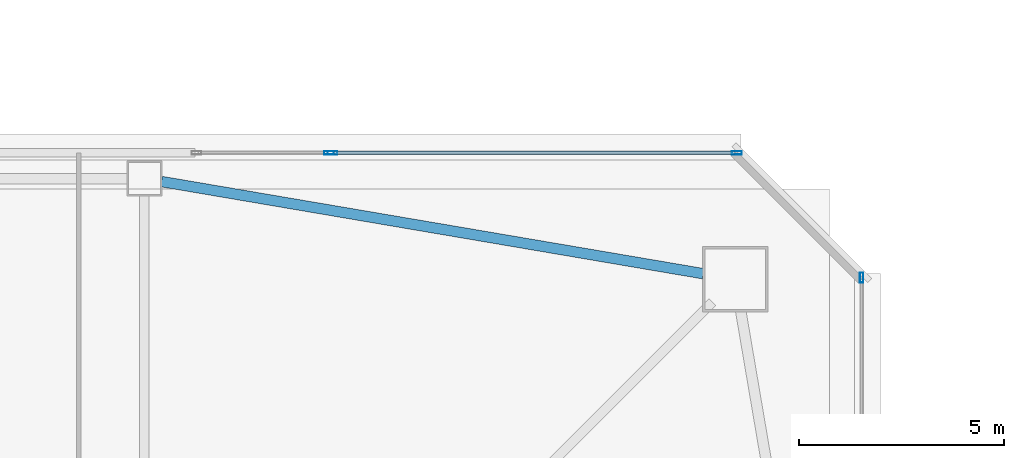
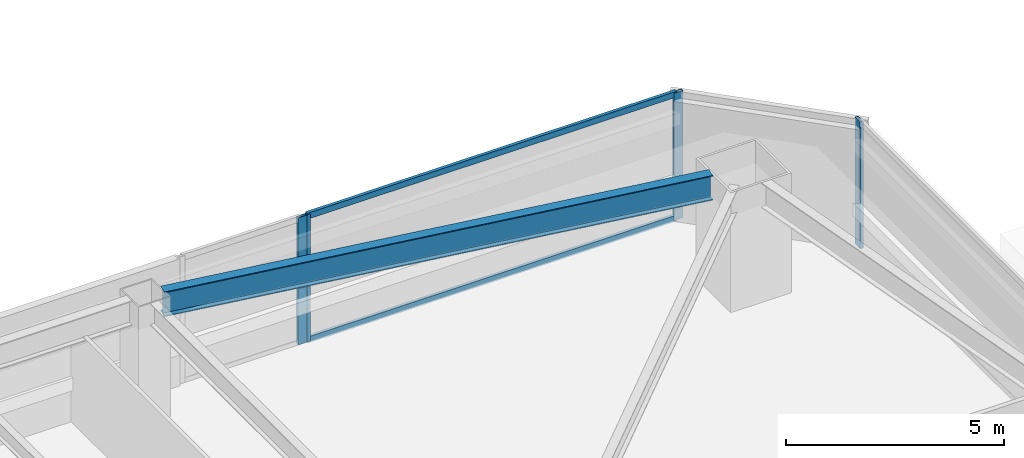
# One storey, part 19 of 62: 6 members, 1 beam, 3 elements without a shape of their own.
"""IFC4 building model written with IfcOpenShell, lengths in metres."""

from ifc_helpers import new_model, si_unit, direction, frame, origin, origin_2d, place, context, subcontext, project, spatial, hollow_rectangle, i_section, extrude, material, material_profile, profile_set, type_object, element, aggregate, save


model = new_model("IFC4")

# Units and contexts
model_context = context("Model", 3, precision=1e-05, world=origin(), true_north=direction((0.0, 1.0)))
body_context = subcontext(model_context, "Body", "Model", "MODEL_VIEW")
ifc_project = project(units=[si_unit("LENGTHUNIT", "METRE"), si_unit("AREAUNIT", "SQUARE_METRE"), si_unit("VOLUMEUNIT", "CUBIC_METRE"), si_unit("PLANEANGLEUNIT", "RADIAN"), si_unit("MASSUNIT", "GRAM", prefix="KILO")], contexts=[model_context])

# Site, building, storey
site_placement = place(None, origin())
site = spatial("IfcSite", under=ifc_project, at=site_placement, CompositionType="ELEMENT")
building_placement = place(site_placement, origin())
building = spatial("IfcBuilding", under=site, at=building_placement, Name="Tashvorn Skyway Center", CompositionType="ELEMENT")
storey_placement = place(building_placement, frame((0.0, 0.0, 28.14990234375)))
storey = spatial("IfcBuildingStorey", under=building, at=storey_placement, Name="L06", CompositionType="ELEMENT", Elevation=28.14990234375)

# Beam
ifc_material_1 = material(Name="Steel ASTM A992 Grade 50", Category="steel")
ifc_material_profile_1 = material_profile(ifc_material_1, i_section(OverallWidth=0.256103515625, OverallDepth=0.693115234375, WebThickness=0.014404296875, FlangeThickness=0.023681640625, at=origin_2d()), Name="W27X114")
ifc_profile_set_1 = profile_set([ifc_material_profile_1], Name="Steel ASTM A992 Grade 50")
beam_type = type_object("IfcBeamType", Name="BM-SPANDREL-W27X114", PredefinedType="SPANDREL", material=ifc_profile_set_1)
beam_placement = place(storey_placement, frame((61.016357421875, 51.933349609375, 3.003662109375), z_axis=(-0.985835025551, 0.16771792509, 0.0), x_axis=(-0.16771792509, -0.985835025551, 0.0)))
element("IfcBeam", 1, at=beam_placement, inside=storey, type_object=beam_type, Name="Tower 1 L06 Spandrel Beam 07", PredefinedType="SPANDREL", context=body_context, shape_type="SweptSolid", body=[
    extrude(i_section(OverallWidth=0.256103515625, OverallDepth=0.693115234375, WebThickness=0.014404296875, FlangeThickness=0.023681640625, at=origin_2d()), origin(), (0.0, 0.0, 1.0), 13.39208984375),
])

# Curtain wall, member
ifc_material_2 = material(Name="Thermally broken bronze-anodized aluminium 6063-T6", Category="aluminium")
curtain_wall_type = type_object("IfcCurtainWallType", Name="CW-CW-Z1", PredefinedType="NOTDEFINED", material=ifc_material_2)
curtain_wall_1_placement = place(storey_placement, origin())
curtain_wall_1 = element("IfcCurtainWall", 2, at=curtain_wall_1_placement, inside=storey, type_object=curtain_wall_type, Name="Tower 1 L06 North Unitised Curtain Wall Glazing Group 3", PredefinedType="NOTDEFINED")
ifc_material_profile_2 = material_profile(ifc_material_2, hollow_rectangle(XDim=0.0849609375, YDim=0.239990234375, WallThickness=0.0048828125, at=origin_2d()), Name="ALU-MULL-85x240")
ifc_profile_set_2 = profile_set([ifc_material_profile_2], Name="Thermally broken bronze-anodized aluminium 6063-T6")
member_type_1 = type_object("IfcMemberType", Name="CWM-CW-Z1", PredefinedType="MULLION", material=ifc_profile_set_2)
member_1_placement = place(storey_placement, frame((51.8974609375, 54.8798828125, 0.0), z_axis=(0.0, 0.0, 1.0), x_axis=(0.0, 1.0, 0.0)))
member_1 = element("IfcMember", 3, at=member_1_placement, type_object=member_type_1, Name="CW-Z1 mullion 2", PredefinedType="MULLION", context=body_context, shape_type="SweptSolid", body=[
    extrude(hollow_rectangle(XDim=0.0849609375, YDim=0.239990234375, WallThickness=0.0048828125, at=origin_2d()), origin(), (0.0, 0.0, 1.0), 3.550048828125),
])
aggregate(curtain_wall_1, [member_1])

# Curtain wall, members
curtain_wall_2_placement = place(storey_placement, origin())
curtain_wall_2 = element("IfcCurtainWall", 4, at=curtain_wall_2_placement, inside=storey, type_object=curtain_wall_type, Name="Tower 1 L06 North Unitised Curtain Wall Glazing Group 4", PredefinedType="NOTDEFINED")
member_2_placement = place(storey_placement, frame((51.982421875, 54.8798828125, 0.0), z_axis=(0.0, 0.0, 1.0), x_axis=(0.0, 1.0, 0.0)))
member_2 = element("IfcMember", 5, at=member_2_placement, type_object=member_type_1, Name="CW-Z1 mullion 1", PredefinedType="MULLION", context=body_context, shape_type="SweptSolid", body=[
    extrude(hollow_rectangle(XDim=0.0849609375, YDim=0.239990234375, WallThickness=0.0048828125, at=origin_2d()), origin(), (0.0, 0.0, 1.0), 3.550048828125),
])
member_3_placement = place(storey_placement, frame((61.83740234375, 54.8798828125, 0.0), z_axis=(0.0, 0.0, 1.0), x_axis=(0.0, 1.0, 0.0)))
member_3 = element("IfcMember", 6, at=member_3_placement, type_object=member_type_1, Name="CW-Z1 mullion 2", PredefinedType="MULLION", context=body_context, shape_type="SweptSolid", body=[
    extrude(hollow_rectangle(XDim=0.0849609375, YDim=0.239990234375, WallThickness=0.0048828125, at=origin_2d()), origin(), (0.0, 0.0, 1.0), 3.550048828125),
])

# Curtain wall, member
curtain_wall_3_placement = place(storey_placement, origin())
curtain_wall_3 = element("IfcCurtainWall", 7, at=curtain_wall_3_placement, inside=storey, type_object=curtain_wall_type, Name="Tower 1 L06 East Unitised Curtain Wall Glazing Group 1", PredefinedType="NOTDEFINED")
member_4_placement = place(storey_placement, frame((64.8798828125, 51.83740234375, 0.0), z_axis=(0.0, 0.0, 1.0), x_axis=(1.0, 0.0, 0.0)))
member_4 = element("IfcMember", 8, at=member_4_placement, type_object=member_type_1, Name="CW-Z1 mullion 1", PredefinedType="MULLION", context=body_context, shape_type="SweptSolid", body=[
    extrude(hollow_rectangle(XDim=0.0849609375, YDim=0.239990234375, WallThickness=0.0048828125, at=origin_2d()), origin(), (0.0, 0.0, 1.0), 3.550048828125),
])
aggregate(curtain_wall_3, [member_4])

# Member
ifc_material_profile_3 = material_profile(ifc_material_2, hollow_rectangle(XDim=0.0849609375, YDim=0.1650390625, WallThickness=0.0048828125, at=origin_2d()), Name="ALU-TRAN-85x165")
ifc_profile_set_3 = profile_set([ifc_material_profile_3], Name="Thermally broken bronze-anodized aluminium 6063-T6")
member_type_2 = type_object("IfcMemberType", Name="CWT-CW-Z1", PredefinedType="USERDEFINED", material=ifc_profile_set_3)
member_5_placement = place(storey_placement, frame((52.02490234375, 54.8798828125, 0.04248046875), z_axis=(1.0, 0.0, 0.0), x_axis=(0.0, 1.0, 0.0)))
member_5 = element("IfcMember", 9, at=member_5_placement, type_object=member_type_2, Name="CW-Z1 transom 1.1", ObjectType="TRANSOM", PredefinedType="USERDEFINED", context=body_context, shape_type="SweptSolid", body=[
    extrude(hollow_rectangle(XDim=0.0849609375, YDim=0.1650390625, WallThickness=0.0048828125, at=origin_2d()), origin(), (0.0, 0.0, 1.0), 9.77001953125),
])

member_6_placement = place(storey_placement, frame((52.02490234375, 54.8798828125, 3.507568359375), z_axis=(1.0, 0.0, 0.0), x_axis=(0.0, 1.0, 0.0)))
member_6 = element("IfcMember", 10, at=member_6_placement, type_object=member_type_2, Name="CW-Z1 transom 1.2", ObjectType="TRANSOM", PredefinedType="USERDEFINED", context=body_context, shape_type="SweptSolid", body=[
    extrude(hollow_rectangle(XDim=0.0849609375, YDim=0.1650390625, WallThickness=0.0048828125, at=origin_2d()), origin(), (0.0, 0.0, 1.0), 9.77001953125),
])

aggregate(curtain_wall_2, [member_2, member_3, member_5, member_6])

save(model, "model.ifc")
